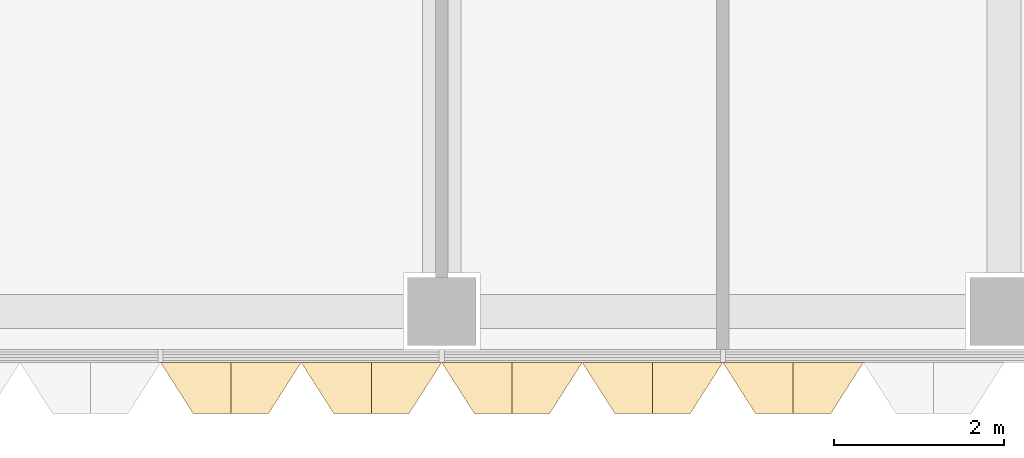
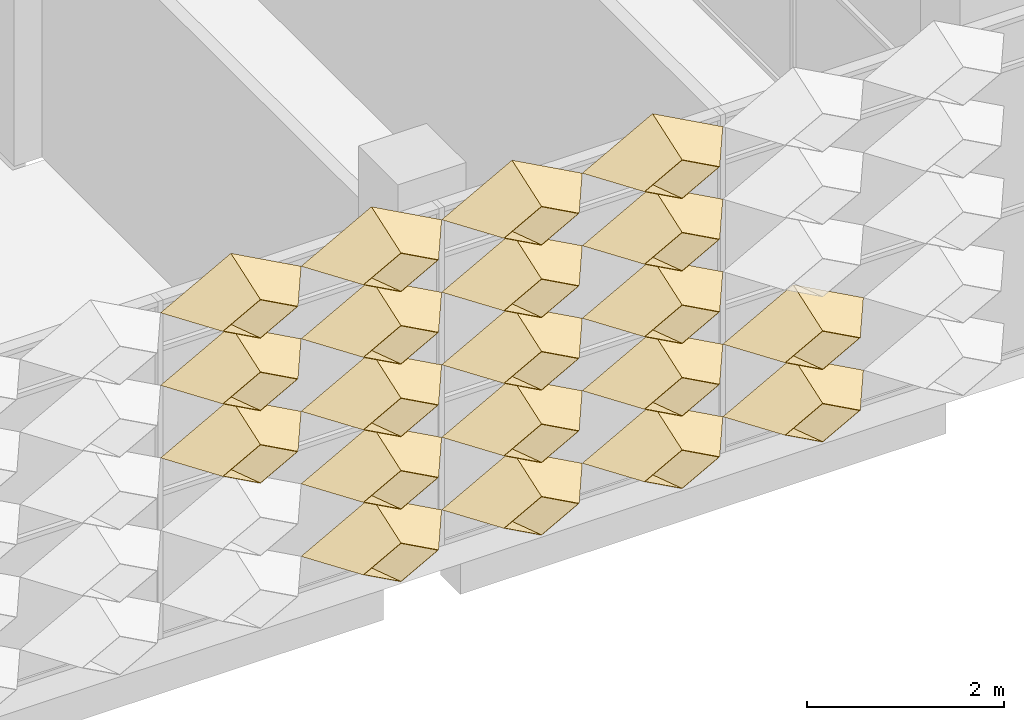
# One storey, part 61 of 85: 20 coverings.
"""IFC4 building model written with IfcOpenShell, lengths in metres."""

from ifc_helpers import new_model, entity, si_unit, direction, frame, origin, place, context, subcontext, project, spatial, material, layer, layer_set, type_object, element, save


model = new_model("IFC4")

# Units and contexts
model_context = context("Model", 3, precision=1e-05, world=origin(), true_north=direction((0.0, 1.0)))
body_context = subcontext(model_context, "Body", "Model", "MODEL_VIEW")
ifc_project = project(units=[si_unit("LENGTHUNIT", "METRE"), si_unit("AREAUNIT", "SQUARE_METRE"), si_unit("VOLUMEUNIT", "CUBIC_METRE"), si_unit("PLANEANGLEUNIT", "RADIAN"), si_unit("MASSUNIT", "GRAM", prefix="KILO")], contexts=[model_context])

# Site, building, storey
site_placement = place(None, origin())
site = spatial("IfcSite", under=ifc_project, at=site_placement, CompositionType="ELEMENT")
building_placement = place(site_placement, origin())
building = spatial("IfcBuilding", under=site, at=building_placement, Name="Lantern Court Research Institute", CompositionType="ELEMENT")
storey_placement = place(building_placement, frame((0.0, 0.0, 18.89990234375)))
storey = spatial("IfcBuildingStorey", under=building, at=storey_placement, Name="L04", CompositionType="ELEMENT", Elevation=18.89990234375)

# Coverings
ifc_material = material(Name="Anodised aluminium", Category="aluminium")
ifc_layer = layer(ifc_material, 0.01611328125)
ifc_layer_set = layer_set([ifc_layer], Name="Anodised aluminium")
covering_type = type_object("IfcCoveringType", Name="Fin cassette 1650 x 900 x 600 aluminium", PredefinedType="CLADDING", material=ifc_layer_set)
covering_1_placement = place(storey_placement, frame((71.77490234375, -8.39990234375, 0.4501953125), z_axis=(0.0, -1.0, 0.0), x_axis=(1.0, 0.0, 0.0)))
cartesian_point_1 = entity("IfcCartesianPoint", [0.824951171875, 0.0])
cartesian_point_2 = entity("IfcCartesianPoint", [0.79150390625, 0.0])
cartesian_point_3 = entity("IfcCartesianPoint", [0.44189453125, 0.0])
cartesian_point_4 = entity("IfcCartesianPoint", [0.43359375, 0.0])
element("IfcCovering", 1, at=covering_1_placement, inside=storey, type_object=covering_type, Name="Fin cassette V5S-L04 1.44", PredefinedType="CLADDING", context=body_context, shape_type="SweptSolid", body=[
    entity("IfcExtrudedAreaSolidTapered", entity("IfcArbitraryProfileDefWithVoids", "AREA", None, entity("IfcPolyline", [cartesian_point_1, entity("IfcCartesianPoint", [0.0, 0.449951171875]), entity("IfcCartesianPoint", [-0.824951171875, 0.0]), entity("IfcCartesianPoint", [0.0, -0.449951171875]), cartesian_point_1]), [entity("IfcPolyline", [cartesian_point_2, entity("IfcCartesianPoint", [0.0, 0.431884765625]), entity("IfcCartesianPoint", [-0.79150390625, 0.0]), entity("IfcCartesianPoint", [0.0, -0.431884765625]), cartesian_point_2])]), entity("IfcAxis2Placement3D", entity("IfcCartesianPoint", [0.0, 0.0, 0.0])), entity("IfcDirection", [0.0, 0.0, 1.0]), 0.60009765625, entity("IfcArbitraryProfileDefWithVoids", "AREA", None, entity("IfcPolyline", [cartesian_point_3, entity("IfcCartesianPoint", [0.0, 0.240966796875]), entity("IfcCartesianPoint", [-0.44189453125, 0.0]), entity("IfcCartesianPoint", [0.0, -0.240966796875]), cartesian_point_3]), [entity("IfcPolyline", [cartesian_point_4, entity("IfcCartesianPoint", [0.0, 0.236572265625]), entity("IfcCartesianPoint", [-0.43359375, 0.0]), entity("IfcCartesianPoint", [0.0, -0.236572265625]), cartesian_point_4])])),
])
covering_2_placement = place(storey_placement, frame((73.425048828125, -8.39990234375, 0.4501953125), z_axis=(0.0, -1.0, 0.0), x_axis=(1.0, 0.0, 0.0)))
cartesian_point_5 = entity("IfcCartesianPoint", [0.824951171875, 0.0])
cartesian_point_6 = entity("IfcCartesianPoint", [0.79150390625, 0.0])
cartesian_point_7 = entity("IfcCartesianPoint", [0.44189453125, 0.0])
cartesian_point_8 = entity("IfcCartesianPoint", [0.43359375, 0.0])
element("IfcCovering", 2, at=covering_2_placement, inside=storey, type_object=covering_type, Name="Fin cassette V5S-L04 1.45", PredefinedType="CLADDING", context=body_context, shape_type="SweptSolid", body=[
    entity("IfcExtrudedAreaSolidTapered", entity("IfcArbitraryProfileDefWithVoids", "AREA", None, entity("IfcPolyline", [cartesian_point_5, entity("IfcCartesianPoint", [0.0, 0.449951171875]), entity("IfcCartesianPoint", [-0.824951171875, 0.0]), entity("IfcCartesianPoint", [0.0, -0.449951171875]), cartesian_point_5]), [entity("IfcPolyline", [cartesian_point_6, entity("IfcCartesianPoint", [0.0, 0.431884765625]), entity("IfcCartesianPoint", [-0.79150390625, 0.0]), entity("IfcCartesianPoint", [0.0, -0.431884765625]), cartesian_point_6])]), entity("IfcAxis2Placement3D", entity("IfcCartesianPoint", [0.0, 0.0, 0.0])), entity("IfcDirection", [0.0, 0.0, 1.0]), 0.60009765625, entity("IfcArbitraryProfileDefWithVoids", "AREA", None, entity("IfcPolyline", [cartesian_point_7, entity("IfcCartesianPoint", [0.0, 0.240966796875]), entity("IfcCartesianPoint", [-0.44189453125, 0.0]), entity("IfcCartesianPoint", [0.0, -0.240966796875]), cartesian_point_7]), [entity("IfcPolyline", [cartesian_point_8, entity("IfcCartesianPoint", [0.0, 0.236572265625]), entity("IfcCartesianPoint", [-0.43359375, 0.0]), entity("IfcCartesianPoint", [0.0, -0.236572265625]), cartesian_point_8])])),
])
covering_3_placement = place(storey_placement, frame((75.074951171875, -8.39990234375, 0.4501953125), z_axis=(0.0, -1.0, 0.0), x_axis=(1.0, 0.0, 0.0)))
cartesian_point_9 = entity("IfcCartesianPoint", [0.824951171875, 0.0])
cartesian_point_10 = entity("IfcCartesianPoint", [0.79150390625, 0.0])
cartesian_point_11 = entity("IfcCartesianPoint", [0.44189453125, 0.0])
cartesian_point_12 = entity("IfcCartesianPoint", [0.43359375, 0.0])
element("IfcCovering", 3, at=covering_3_placement, inside=storey, type_object=covering_type, Name="Fin cassette V5S-L04 1.46", PredefinedType="CLADDING", context=body_context, shape_type="SweptSolid", body=[
    entity("IfcExtrudedAreaSolidTapered", entity("IfcArbitraryProfileDefWithVoids", "AREA", None, entity("IfcPolyline", [cartesian_point_9, entity("IfcCartesianPoint", [0.0, 0.449951171875]), entity("IfcCartesianPoint", [-0.824951171875, 0.0]), entity("IfcCartesianPoint", [0.0, -0.449951171875]), cartesian_point_9]), [entity("IfcPolyline", [cartesian_point_10, entity("IfcCartesianPoint", [0.0, 0.431884765625]), entity("IfcCartesianPoint", [-0.79150390625, 0.0]), entity("IfcCartesianPoint", [0.0, -0.431884765625]), cartesian_point_10])]), entity("IfcAxis2Placement3D", entity("IfcCartesianPoint", [0.0, 0.0, 0.0])), entity("IfcDirection", [0.0, 0.0, 1.0]), 0.60009765625, entity("IfcArbitraryProfileDefWithVoids", "AREA", None, entity("IfcPolyline", [cartesian_point_11, entity("IfcCartesianPoint", [0.0, 0.240966796875]), entity("IfcCartesianPoint", [-0.44189453125, 0.0]), entity("IfcCartesianPoint", [0.0, -0.240966796875]), cartesian_point_11]), [entity("IfcPolyline", [cartesian_point_12, entity("IfcCartesianPoint", [0.0, 0.236572265625]), entity("IfcCartesianPoint", [-0.43359375, 0.0]), entity("IfcCartesianPoint", [0.0, -0.236572265625]), cartesian_point_12])])),
])
covering_4_placement = place(storey_placement, frame((76.72509765625, -8.39990234375, 0.4501953125), z_axis=(0.0, -1.0, 0.0), x_axis=(1.0, 0.0, 0.0)))
cartesian_point_13 = entity("IfcCartesianPoint", [0.824951171875, 0.0])
cartesian_point_14 = entity("IfcCartesianPoint", [0.79150390625, 0.0])
cartesian_point_15 = entity("IfcCartesianPoint", [0.44189453125, 0.0])
cartesian_point_16 = entity("IfcCartesianPoint", [0.43359375, 0.0])
element("IfcCovering", 4, at=covering_4_placement, inside=storey, type_object=covering_type, Name="Fin cassette V5S-L04 1.47", PredefinedType="CLADDING", context=body_context, shape_type="SweptSolid", body=[
    entity("IfcExtrudedAreaSolidTapered", entity("IfcArbitraryProfileDefWithVoids", "AREA", None, entity("IfcPolyline", [cartesian_point_13, entity("IfcCartesianPoint", [0.0, 0.449951171875]), entity("IfcCartesianPoint", [-0.824951171875, 0.0]), entity("IfcCartesianPoint", [0.0, -0.449951171875]), cartesian_point_13]), [entity("IfcPolyline", [cartesian_point_14, entity("IfcCartesianPoint", [0.0, 0.431884765625]), entity("IfcCartesianPoint", [-0.79150390625, 0.0]), entity("IfcCartesianPoint", [0.0, -0.431884765625]), cartesian_point_14])]), entity("IfcAxis2Placement3D", entity("IfcCartesianPoint", [0.0, 0.0, 0.0])), entity("IfcDirection", [0.0, 0.0, 1.0]), 0.60009765625, entity("IfcArbitraryProfileDefWithVoids", "AREA", None, entity("IfcPolyline", [cartesian_point_15, entity("IfcCartesianPoint", [0.0, 0.240966796875]), entity("IfcCartesianPoint", [-0.44189453125, 0.0]), entity("IfcCartesianPoint", [0.0, -0.240966796875]), cartesian_point_15]), [entity("IfcPolyline", [cartesian_point_16, entity("IfcCartesianPoint", [0.0, 0.236572265625]), entity("IfcCartesianPoint", [-0.43359375, 0.0]), entity("IfcCartesianPoint", [0.0, -0.236572265625]), cartesian_point_16])])),
])
covering_5_placement = place(storey_placement, frame((71.77490234375, -8.39990234375, 1.35009765625), z_axis=(0.0, -1.0, 0.0), x_axis=(1.0, 0.0, 0.0)))
cartesian_point_17 = entity("IfcCartesianPoint", [0.824951171875, 0.0])
cartesian_point_18 = entity("IfcCartesianPoint", [0.79150390625, 0.0])
cartesian_point_19 = entity("IfcCartesianPoint", [0.44189453125, 0.0])
cartesian_point_20 = entity("IfcCartesianPoint", [0.43359375, 0.0])
element("IfcCovering", 5, at=covering_5_placement, inside=storey, type_object=covering_type, Name="Fin cassette V5S-L04 2.44", PredefinedType="CLADDING", context=body_context, shape_type="SweptSolid", body=[
    entity("IfcExtrudedAreaSolidTapered", entity("IfcArbitraryProfileDefWithVoids", "AREA", None, entity("IfcPolyline", [cartesian_point_17, entity("IfcCartesianPoint", [0.0, 0.449951171875]), entity("IfcCartesianPoint", [-0.824951171875, 0.0]), entity("IfcCartesianPoint", [0.0, -0.449951171875]), cartesian_point_17]), [entity("IfcPolyline", [cartesian_point_18, entity("IfcCartesianPoint", [0.0, 0.431884765625]), entity("IfcCartesianPoint", [-0.79150390625, 0.0]), entity("IfcCartesianPoint", [0.0, -0.431884765625]), cartesian_point_18])]), entity("IfcAxis2Placement3D", entity("IfcCartesianPoint", [0.0, 0.0, 0.0])), entity("IfcDirection", [0.0, 0.0, 1.0]), 0.60009765625, entity("IfcArbitraryProfileDefWithVoids", "AREA", None, entity("IfcPolyline", [cartesian_point_19, entity("IfcCartesianPoint", [0.0, 0.240966796875]), entity("IfcCartesianPoint", [-0.44189453125, 0.0]), entity("IfcCartesianPoint", [0.0, -0.240966796875]), cartesian_point_19]), [entity("IfcPolyline", [cartesian_point_20, entity("IfcCartesianPoint", [0.0, 0.236572265625]), entity("IfcCartesianPoint", [-0.43359375, 0.0]), entity("IfcCartesianPoint", [0.0, -0.236572265625]), cartesian_point_20])])),
])
covering_6_placement = place(storey_placement, frame((73.425048828125, -8.39990234375, 1.35009765625), z_axis=(0.0, -1.0, 0.0), x_axis=(1.0, 0.0, 0.0)))
cartesian_point_21 = entity("IfcCartesianPoint", [0.824951171875, 0.0])
cartesian_point_22 = entity("IfcCartesianPoint", [0.79150390625, 0.0])
cartesian_point_23 = entity("IfcCartesianPoint", [0.44189453125, 0.0])
cartesian_point_24 = entity("IfcCartesianPoint", [0.43359375, 0.0])
element("IfcCovering", 6, at=covering_6_placement, inside=storey, type_object=covering_type, Name="Fin cassette V5S-L04 2.45", PredefinedType="CLADDING", context=body_context, shape_type="SweptSolid", body=[
    entity("IfcExtrudedAreaSolidTapered", entity("IfcArbitraryProfileDefWithVoids", "AREA", None, entity("IfcPolyline", [cartesian_point_21, entity("IfcCartesianPoint", [0.0, 0.449951171875]), entity("IfcCartesianPoint", [-0.824951171875, 0.0]), entity("IfcCartesianPoint", [0.0, -0.449951171875]), cartesian_point_21]), [entity("IfcPolyline", [cartesian_point_22, entity("IfcCartesianPoint", [0.0, 0.431884765625]), entity("IfcCartesianPoint", [-0.79150390625, 0.0]), entity("IfcCartesianPoint", [0.0, -0.431884765625]), cartesian_point_22])]), entity("IfcAxis2Placement3D", entity("IfcCartesianPoint", [0.0, 0.0, 0.0])), entity("IfcDirection", [0.0, 0.0, 1.0]), 0.60009765625, entity("IfcArbitraryProfileDefWithVoids", "AREA", None, entity("IfcPolyline", [cartesian_point_23, entity("IfcCartesianPoint", [0.0, 0.240966796875]), entity("IfcCartesianPoint", [-0.44189453125, 0.0]), entity("IfcCartesianPoint", [0.0, -0.240966796875]), cartesian_point_23]), [entity("IfcPolyline", [cartesian_point_24, entity("IfcCartesianPoint", [0.0, 0.236572265625]), entity("IfcCartesianPoint", [-0.43359375, 0.0]), entity("IfcCartesianPoint", [0.0, -0.236572265625]), cartesian_point_24])])),
])
covering_7_placement = place(storey_placement, frame((75.074951171875, -8.39990234375, 1.35009765625), z_axis=(0.0, -1.0, 0.0), x_axis=(1.0, 0.0, 0.0)))
cartesian_point_25 = entity("IfcCartesianPoint", [0.824951171875, 0.0])
cartesian_point_26 = entity("IfcCartesianPoint", [0.79150390625, 0.0])
cartesian_point_27 = entity("IfcCartesianPoint", [0.44189453125, 0.0])
cartesian_point_28 = entity("IfcCartesianPoint", [0.43359375, 0.0])
element("IfcCovering", 7, at=covering_7_placement, inside=storey, type_object=covering_type, Name="Fin cassette V5S-L04 2.46", PredefinedType="CLADDING", context=body_context, shape_type="SweptSolid", body=[
    entity("IfcExtrudedAreaSolidTapered", entity("IfcArbitraryProfileDefWithVoids", "AREA", None, entity("IfcPolyline", [cartesian_point_25, entity("IfcCartesianPoint", [0.0, 0.449951171875]), entity("IfcCartesianPoint", [-0.824951171875, 0.0]), entity("IfcCartesianPoint", [0.0, -0.449951171875]), cartesian_point_25]), [entity("IfcPolyline", [cartesian_point_26, entity("IfcCartesianPoint", [0.0, 0.431884765625]), entity("IfcCartesianPoint", [-0.79150390625, 0.0]), entity("IfcCartesianPoint", [0.0, -0.431884765625]), cartesian_point_26])]), entity("IfcAxis2Placement3D", entity("IfcCartesianPoint", [0.0, 0.0, 0.0])), entity("IfcDirection", [0.0, 0.0, 1.0]), 0.60009765625, entity("IfcArbitraryProfileDefWithVoids", "AREA", None, entity("IfcPolyline", [cartesian_point_27, entity("IfcCartesianPoint", [0.0, 0.240966796875]), entity("IfcCartesianPoint", [-0.44189453125, 0.0]), entity("IfcCartesianPoint", [0.0, -0.240966796875]), cartesian_point_27]), [entity("IfcPolyline", [cartesian_point_28, entity("IfcCartesianPoint", [0.0, 0.236572265625]), entity("IfcCartesianPoint", [-0.43359375, 0.0]), entity("IfcCartesianPoint", [0.0, -0.236572265625]), cartesian_point_28])])),
])
covering_8_placement = place(storey_placement, frame((76.72509765625, -8.39990234375, 1.35009765625), z_axis=(0.0, -1.0, 0.0), x_axis=(1.0, 0.0, 0.0)))
cartesian_point_29 = entity("IfcCartesianPoint", [0.824951171875, 0.0])
cartesian_point_30 = entity("IfcCartesianPoint", [0.79150390625, 0.0])
cartesian_point_31 = entity("IfcCartesianPoint", [0.44189453125, 0.0])
cartesian_point_32 = entity("IfcCartesianPoint", [0.43359375, 0.0])
element("IfcCovering", 8, at=covering_8_placement, inside=storey, type_object=covering_type, Name="Fin cassette V5S-L04 2.47", PredefinedType="CLADDING", context=body_context, shape_type="SweptSolid", body=[
    entity("IfcExtrudedAreaSolidTapered", entity("IfcArbitraryProfileDefWithVoids", "AREA", None, entity("IfcPolyline", [cartesian_point_29, entity("IfcCartesianPoint", [0.0, 0.449951171875]), entity("IfcCartesianPoint", [-0.824951171875, 0.0]), entity("IfcCartesianPoint", [0.0, -0.449951171875]), cartesian_point_29]), [entity("IfcPolyline", [cartesian_point_30, entity("IfcCartesianPoint", [0.0, 0.431884765625]), entity("IfcCartesianPoint", [-0.79150390625, 0.0]), entity("IfcCartesianPoint", [0.0, -0.431884765625]), cartesian_point_30])]), entity("IfcAxis2Placement3D", entity("IfcCartesianPoint", [0.0, 0.0, 0.0])), entity("IfcDirection", [0.0, 0.0, 1.0]), 0.60009765625, entity("IfcArbitraryProfileDefWithVoids", "AREA", None, entity("IfcPolyline", [cartesian_point_31, entity("IfcCartesianPoint", [0.0, 0.240966796875]), entity("IfcCartesianPoint", [-0.44189453125, 0.0]), entity("IfcCartesianPoint", [0.0, -0.240966796875]), cartesian_point_31]), [entity("IfcPolyline", [cartesian_point_32, entity("IfcCartesianPoint", [0.0, 0.236572265625]), entity("IfcCartesianPoint", [-0.43359375, 0.0]), entity("IfcCartesianPoint", [0.0, -0.236572265625]), cartesian_point_32])])),
])
covering_9_placement = place(storey_placement, frame((70.125, -8.39990234375, 2.25), z_axis=(0.0, -1.0, 0.0), x_axis=(1.0, 0.0, 0.0)))
cartesian_point_33 = entity("IfcCartesianPoint", [0.824951171875, 0.0])
cartesian_point_34 = entity("IfcCartesianPoint", [0.79150390625, 0.0])
cartesian_point_35 = entity("IfcCartesianPoint", [0.44189453125, 0.0])
cartesian_point_36 = entity("IfcCartesianPoint", [0.43359375, 0.0])
element("IfcCovering", 9, at=covering_9_placement, inside=storey, type_object=covering_type, Name="Fin cassette V5S-L04 3.43", PredefinedType="CLADDING", context=body_context, shape_type="SweptSolid", body=[
    entity("IfcExtrudedAreaSolidTapered", entity("IfcArbitraryProfileDefWithVoids", "AREA", None, entity("IfcPolyline", [cartesian_point_33, entity("IfcCartesianPoint", [0.0, 0.449951171875]), entity("IfcCartesianPoint", [-0.824951171875, 0.0]), entity("IfcCartesianPoint", [0.0, -0.449951171875]), cartesian_point_33]), [entity("IfcPolyline", [cartesian_point_34, entity("IfcCartesianPoint", [0.0, 0.431884765625]), entity("IfcCartesianPoint", [-0.79150390625, 0.0]), entity("IfcCartesianPoint", [0.0, -0.431884765625]), cartesian_point_34])]), entity("IfcAxis2Placement3D", entity("IfcCartesianPoint", [0.0, 0.0, 0.0])), entity("IfcDirection", [0.0, 0.0, 1.0]), 0.60009765625, entity("IfcArbitraryProfileDefWithVoids", "AREA", None, entity("IfcPolyline", [cartesian_point_35, entity("IfcCartesianPoint", [0.0, 0.240966796875]), entity("IfcCartesianPoint", [-0.44189453125, 0.0]), entity("IfcCartesianPoint", [0.0, -0.240966796875]), cartesian_point_35]), [entity("IfcPolyline", [cartesian_point_36, entity("IfcCartesianPoint", [0.0, 0.236572265625]), entity("IfcCartesianPoint", [-0.43359375, 0.0]), entity("IfcCartesianPoint", [0.0, -0.236572265625]), cartesian_point_36])])),
])
covering_10_placement = place(storey_placement, frame((71.77490234375, -8.39990234375, 2.25), z_axis=(0.0, -1.0, 0.0), x_axis=(1.0, 0.0, 0.0)))
cartesian_point_37 = entity("IfcCartesianPoint", [0.824951171875, 0.0])
cartesian_point_38 = entity("IfcCartesianPoint", [0.79150390625, 0.0])
cartesian_point_39 = entity("IfcCartesianPoint", [0.44189453125, 0.0])
cartesian_point_40 = entity("IfcCartesianPoint", [0.43359375, 0.0])
element("IfcCovering", 10, at=covering_10_placement, inside=storey, type_object=covering_type, Name="Fin cassette V5S-L04 3.44", PredefinedType="CLADDING", context=body_context, shape_type="SweptSolid", body=[
    entity("IfcExtrudedAreaSolidTapered", entity("IfcArbitraryProfileDefWithVoids", "AREA", None, entity("IfcPolyline", [cartesian_point_37, entity("IfcCartesianPoint", [0.0, 0.449951171875]), entity("IfcCartesianPoint", [-0.824951171875, 0.0]), entity("IfcCartesianPoint", [0.0, -0.449951171875]), cartesian_point_37]), [entity("IfcPolyline", [cartesian_point_38, entity("IfcCartesianPoint", [0.0, 0.431884765625]), entity("IfcCartesianPoint", [-0.79150390625, 0.0]), entity("IfcCartesianPoint", [0.0, -0.431884765625]), cartesian_point_38])]), entity("IfcAxis2Placement3D", entity("IfcCartesianPoint", [0.0, 0.0, 0.0])), entity("IfcDirection", [0.0, 0.0, 1.0]), 0.60009765625, entity("IfcArbitraryProfileDefWithVoids", "AREA", None, entity("IfcPolyline", [cartesian_point_39, entity("IfcCartesianPoint", [0.0, 0.240966796875]), entity("IfcCartesianPoint", [-0.44189453125, 0.0]), entity("IfcCartesianPoint", [0.0, -0.240966796875]), cartesian_point_39]), [entity("IfcPolyline", [cartesian_point_40, entity("IfcCartesianPoint", [0.0, 0.236572265625]), entity("IfcCartesianPoint", [-0.43359375, 0.0]), entity("IfcCartesianPoint", [0.0, -0.236572265625]), cartesian_point_40])])),
])
covering_11_placement = place(storey_placement, frame((73.425048828125, -8.39990234375, 2.25), z_axis=(0.0, -1.0, 0.0), x_axis=(1.0, 0.0, 0.0)))
cartesian_point_41 = entity("IfcCartesianPoint", [0.824951171875, 0.0])
cartesian_point_42 = entity("IfcCartesianPoint", [0.79150390625, 0.0])
cartesian_point_43 = entity("IfcCartesianPoint", [0.44189453125, 0.0])
cartesian_point_44 = entity("IfcCartesianPoint", [0.43359375, 0.0])
element("IfcCovering", 11, at=covering_11_placement, inside=storey, type_object=covering_type, Name="Fin cassette V5S-L04 3.45", PredefinedType="CLADDING", context=body_context, shape_type="SweptSolid", body=[
    entity("IfcExtrudedAreaSolidTapered", entity("IfcArbitraryProfileDefWithVoids", "AREA", None, entity("IfcPolyline", [cartesian_point_41, entity("IfcCartesianPoint", [0.0, 0.449951171875]), entity("IfcCartesianPoint", [-0.824951171875, 0.0]), entity("IfcCartesianPoint", [0.0, -0.449951171875]), cartesian_point_41]), [entity("IfcPolyline", [cartesian_point_42, entity("IfcCartesianPoint", [0.0, 0.431884765625]), entity("IfcCartesianPoint", [-0.79150390625, 0.0]), entity("IfcCartesianPoint", [0.0, -0.431884765625]), cartesian_point_42])]), entity("IfcAxis2Placement3D", entity("IfcCartesianPoint", [0.0, 0.0, 0.0])), entity("IfcDirection", [0.0, 0.0, 1.0]), 0.60009765625, entity("IfcArbitraryProfileDefWithVoids", "AREA", None, entity("IfcPolyline", [cartesian_point_43, entity("IfcCartesianPoint", [0.0, 0.240966796875]), entity("IfcCartesianPoint", [-0.44189453125, 0.0]), entity("IfcCartesianPoint", [0.0, -0.240966796875]), cartesian_point_43]), [entity("IfcPolyline", [cartesian_point_44, entity("IfcCartesianPoint", [0.0, 0.236572265625]), entity("IfcCartesianPoint", [-0.43359375, 0.0]), entity("IfcCartesianPoint", [0.0, -0.236572265625]), cartesian_point_44])])),
])
covering_12_placement = place(storey_placement, frame((75.074951171875, -8.39990234375, 2.25), z_axis=(0.0, -1.0, 0.0), x_axis=(1.0, 0.0, 0.0)))
cartesian_point_45 = entity("IfcCartesianPoint", [0.824951171875, 0.0])
cartesian_point_46 = entity("IfcCartesianPoint", [0.79150390625, 0.0])
cartesian_point_47 = entity("IfcCartesianPoint", [0.44189453125, 0.0])
cartesian_point_48 = entity("IfcCartesianPoint", [0.43359375, 0.0])
element("IfcCovering", 12, at=covering_12_placement, inside=storey, type_object=covering_type, Name="Fin cassette V5S-L04 3.46", PredefinedType="CLADDING", context=body_context, shape_type="SweptSolid", body=[
    entity("IfcExtrudedAreaSolidTapered", entity("IfcArbitraryProfileDefWithVoids", "AREA", None, entity("IfcPolyline", [cartesian_point_45, entity("IfcCartesianPoint", [0.0, 0.449951171875]), entity("IfcCartesianPoint", [-0.824951171875, 0.0]), entity("IfcCartesianPoint", [0.0, -0.449951171875]), cartesian_point_45]), [entity("IfcPolyline", [cartesian_point_46, entity("IfcCartesianPoint", [0.0, 0.431884765625]), entity("IfcCartesianPoint", [-0.79150390625, 0.0]), entity("IfcCartesianPoint", [0.0, -0.431884765625]), cartesian_point_46])]), entity("IfcAxis2Placement3D", entity("IfcCartesianPoint", [0.0, 0.0, 0.0])), entity("IfcDirection", [0.0, 0.0, 1.0]), 0.60009765625, entity("IfcArbitraryProfileDefWithVoids", "AREA", None, entity("IfcPolyline", [cartesian_point_47, entity("IfcCartesianPoint", [0.0, 0.240966796875]), entity("IfcCartesianPoint", [-0.44189453125, 0.0]), entity("IfcCartesianPoint", [0.0, -0.240966796875]), cartesian_point_47]), [entity("IfcPolyline", [cartesian_point_48, entity("IfcCartesianPoint", [0.0, 0.236572265625]), entity("IfcCartesianPoint", [-0.43359375, 0.0]), entity("IfcCartesianPoint", [0.0, -0.236572265625]), cartesian_point_48])])),
])
covering_13_placement = place(storey_placement, frame((70.125, -8.39990234375, 3.150146484375), z_axis=(0.0, -1.0, 0.0), x_axis=(1.0, 0.0, 0.0)))
cartesian_point_49 = entity("IfcCartesianPoint", [0.824951171875, 0.0])
cartesian_point_50 = entity("IfcCartesianPoint", [0.79150390625, 0.0])
cartesian_point_51 = entity("IfcCartesianPoint", [0.44189453125, 0.0])
cartesian_point_52 = entity("IfcCartesianPoint", [0.43359375, 0.0])
element("IfcCovering", 13, at=covering_13_placement, inside=storey, type_object=covering_type, Name="Fin cassette V5S-L04 4.43", PredefinedType="CLADDING", context=body_context, shape_type="SweptSolid", body=[
    entity("IfcExtrudedAreaSolidTapered", entity("IfcArbitraryProfileDefWithVoids", "AREA", None, entity("IfcPolyline", [cartesian_point_49, entity("IfcCartesianPoint", [0.0, 0.449951171875]), entity("IfcCartesianPoint", [-0.824951171875, 0.0]), entity("IfcCartesianPoint", [0.0, -0.449951171875]), cartesian_point_49]), [entity("IfcPolyline", [cartesian_point_50, entity("IfcCartesianPoint", [0.0, 0.431884765625]), entity("IfcCartesianPoint", [-0.79150390625, 0.0]), entity("IfcCartesianPoint", [0.0, -0.431884765625]), cartesian_point_50])]), entity("IfcAxis2Placement3D", entity("IfcCartesianPoint", [0.0, 0.0, 0.0])), entity("IfcDirection", [0.0, 0.0, 1.0]), 0.60009765625, entity("IfcArbitraryProfileDefWithVoids", "AREA", None, entity("IfcPolyline", [cartesian_point_51, entity("IfcCartesianPoint", [0.0, 0.240966796875]), entity("IfcCartesianPoint", [-0.44189453125, 0.0]), entity("IfcCartesianPoint", [0.0, -0.240966796875]), cartesian_point_51]), [entity("IfcPolyline", [cartesian_point_52, entity("IfcCartesianPoint", [0.0, 0.236572265625]), entity("IfcCartesianPoint", [-0.43359375, 0.0]), entity("IfcCartesianPoint", [0.0, -0.236572265625]), cartesian_point_52])])),
])
covering_14_placement = place(storey_placement, frame((71.77490234375, -8.39990234375, 3.150146484375), z_axis=(0.0, -1.0, 0.0), x_axis=(1.0, 0.0, 0.0)))
cartesian_point_53 = entity("IfcCartesianPoint", [0.824951171875, 0.0])
cartesian_point_54 = entity("IfcCartesianPoint", [0.79150390625, 0.0])
cartesian_point_55 = entity("IfcCartesianPoint", [0.44189453125, 0.0])
cartesian_point_56 = entity("IfcCartesianPoint", [0.43359375, 0.0])
element("IfcCovering", 14, at=covering_14_placement, inside=storey, type_object=covering_type, Name="Fin cassette V5S-L04 4.44", PredefinedType="CLADDING", context=body_context, shape_type="SweptSolid", body=[
    entity("IfcExtrudedAreaSolidTapered", entity("IfcArbitraryProfileDefWithVoids", "AREA", None, entity("IfcPolyline", [cartesian_point_53, entity("IfcCartesianPoint", [0.0, 0.449951171875]), entity("IfcCartesianPoint", [-0.824951171875, 0.0]), entity("IfcCartesianPoint", [0.0, -0.449951171875]), cartesian_point_53]), [entity("IfcPolyline", [cartesian_point_54, entity("IfcCartesianPoint", [0.0, 0.431884765625]), entity("IfcCartesianPoint", [-0.79150390625, 0.0]), entity("IfcCartesianPoint", [0.0, -0.431884765625]), cartesian_point_54])]), entity("IfcAxis2Placement3D", entity("IfcCartesianPoint", [0.0, 0.0, 0.0])), entity("IfcDirection", [0.0, 0.0, 1.0]), 0.60009765625, entity("IfcArbitraryProfileDefWithVoids", "AREA", None, entity("IfcPolyline", [cartesian_point_55, entity("IfcCartesianPoint", [0.0, 0.240966796875]), entity("IfcCartesianPoint", [-0.44189453125, 0.0]), entity("IfcCartesianPoint", [0.0, -0.240966796875]), cartesian_point_55]), [entity("IfcPolyline", [cartesian_point_56, entity("IfcCartesianPoint", [0.0, 0.236572265625]), entity("IfcCartesianPoint", [-0.43359375, 0.0]), entity("IfcCartesianPoint", [0.0, -0.236572265625]), cartesian_point_56])])),
])
covering_15_placement = place(storey_placement, frame((73.425048828125, -8.39990234375, 3.150146484375), z_axis=(0.0, -1.0, 0.0), x_axis=(1.0, 0.0, 0.0)))
cartesian_point_57 = entity("IfcCartesianPoint", [0.824951171875, 0.0])
cartesian_point_58 = entity("IfcCartesianPoint", [0.79150390625, 0.0])
cartesian_point_59 = entity("IfcCartesianPoint", [0.44189453125, 0.0])
cartesian_point_60 = entity("IfcCartesianPoint", [0.43359375, 0.0])
element("IfcCovering", 15, at=covering_15_placement, inside=storey, type_object=covering_type, Name="Fin cassette V5S-L04 4.45", PredefinedType="CLADDING", context=body_context, shape_type="SweptSolid", body=[
    entity("IfcExtrudedAreaSolidTapered", entity("IfcArbitraryProfileDefWithVoids", "AREA", None, entity("IfcPolyline", [cartesian_point_57, entity("IfcCartesianPoint", [0.0, 0.449951171875]), entity("IfcCartesianPoint", [-0.824951171875, 0.0]), entity("IfcCartesianPoint", [0.0, -0.449951171875]), cartesian_point_57]), [entity("IfcPolyline", [cartesian_point_58, entity("IfcCartesianPoint", [0.0, 0.431884765625]), entity("IfcCartesianPoint", [-0.79150390625, 0.0]), entity("IfcCartesianPoint", [0.0, -0.431884765625]), cartesian_point_58])]), entity("IfcAxis2Placement3D", entity("IfcCartesianPoint", [0.0, 0.0, 0.0])), entity("IfcDirection", [0.0, 0.0, 1.0]), 0.60009765625, entity("IfcArbitraryProfileDefWithVoids", "AREA", None, entity("IfcPolyline", [cartesian_point_59, entity("IfcCartesianPoint", [0.0, 0.240966796875]), entity("IfcCartesianPoint", [-0.44189453125, 0.0]), entity("IfcCartesianPoint", [0.0, -0.240966796875]), cartesian_point_59]), [entity("IfcPolyline", [cartesian_point_60, entity("IfcCartesianPoint", [0.0, 0.236572265625]), entity("IfcCartesianPoint", [-0.43359375, 0.0]), entity("IfcCartesianPoint", [0.0, -0.236572265625]), cartesian_point_60])])),
])
covering_16_placement = place(storey_placement, frame((75.074951171875, -8.39990234375, 3.150146484375), z_axis=(0.0, -1.0, 0.0), x_axis=(1.0, 0.0, 0.0)))
cartesian_point_61 = entity("IfcCartesianPoint", [0.824951171875, 0.0])
cartesian_point_62 = entity("IfcCartesianPoint", [0.79150390625, 0.0])
cartesian_point_63 = entity("IfcCartesianPoint", [0.44189453125, 0.0])
cartesian_point_64 = entity("IfcCartesianPoint", [0.43359375, 0.0])
element("IfcCovering", 16, at=covering_16_placement, inside=storey, type_object=covering_type, Name="Fin cassette V5S-L04 4.46", PredefinedType="CLADDING", context=body_context, shape_type="SweptSolid", body=[
    entity("IfcExtrudedAreaSolidTapered", entity("IfcArbitraryProfileDefWithVoids", "AREA", None, entity("IfcPolyline", [cartesian_point_61, entity("IfcCartesianPoint", [0.0, 0.449951171875]), entity("IfcCartesianPoint", [-0.824951171875, 0.0]), entity("IfcCartesianPoint", [0.0, -0.449951171875]), cartesian_point_61]), [entity("IfcPolyline", [cartesian_point_62, entity("IfcCartesianPoint", [0.0, 0.431884765625]), entity("IfcCartesianPoint", [-0.79150390625, 0.0]), entity("IfcCartesianPoint", [0.0, -0.431884765625]), cartesian_point_62])]), entity("IfcAxis2Placement3D", entity("IfcCartesianPoint", [0.0, 0.0, 0.0])), entity("IfcDirection", [0.0, 0.0, 1.0]), 0.60009765625, entity("IfcArbitraryProfileDefWithVoids", "AREA", None, entity("IfcPolyline", [cartesian_point_63, entity("IfcCartesianPoint", [0.0, 0.240966796875]), entity("IfcCartesianPoint", [-0.44189453125, 0.0]), entity("IfcCartesianPoint", [0.0, -0.240966796875]), cartesian_point_63]), [entity("IfcPolyline", [cartesian_point_64, entity("IfcCartesianPoint", [0.0, 0.236572265625]), entity("IfcCartesianPoint", [-0.43359375, 0.0]), entity("IfcCartesianPoint", [0.0, -0.236572265625]), cartesian_point_64])])),
])
covering_17_placement = place(storey_placement, frame((70.125, -8.39990234375, 4.050048828125), z_axis=(0.0, -1.0, 0.0), x_axis=(1.0, 0.0, 0.0)))
cartesian_point_65 = entity("IfcCartesianPoint", [0.824951171875, 0.0])
cartesian_point_66 = entity("IfcCartesianPoint", [0.79150390625, 0.0])
cartesian_point_67 = entity("IfcCartesianPoint", [0.44189453125, 0.0])
cartesian_point_68 = entity("IfcCartesianPoint", [0.43359375, 0.0])
element("IfcCovering", 17, at=covering_17_placement, inside=storey, type_object=covering_type, Name="Fin cassette V5S-L04 5.43", PredefinedType="CLADDING", context=body_context, shape_type="SweptSolid", body=[
    entity("IfcExtrudedAreaSolidTapered", entity("IfcArbitraryProfileDefWithVoids", "AREA", None, entity("IfcPolyline", [cartesian_point_65, entity("IfcCartesianPoint", [0.0, 0.449951171875]), entity("IfcCartesianPoint", [-0.824951171875, 0.0]), entity("IfcCartesianPoint", [0.0, -0.449951171875]), cartesian_point_65]), [entity("IfcPolyline", [cartesian_point_66, entity("IfcCartesianPoint", [0.0, 0.431884765625]), entity("IfcCartesianPoint", [-0.79150390625, 0.0]), entity("IfcCartesianPoint", [0.0, -0.431884765625]), cartesian_point_66])]), entity("IfcAxis2Placement3D", entity("IfcCartesianPoint", [0.0, 0.0, 0.0])), entity("IfcDirection", [0.0, 0.0, 1.0]), 0.60009765625, entity("IfcArbitraryProfileDefWithVoids", "AREA", None, entity("IfcPolyline", [cartesian_point_67, entity("IfcCartesianPoint", [0.0, 0.240966796875]), entity("IfcCartesianPoint", [-0.44189453125, 0.0]), entity("IfcCartesianPoint", [0.0, -0.240966796875]), cartesian_point_67]), [entity("IfcPolyline", [cartesian_point_68, entity("IfcCartesianPoint", [0.0, 0.236572265625]), entity("IfcCartesianPoint", [-0.43359375, 0.0]), entity("IfcCartesianPoint", [0.0, -0.236572265625]), cartesian_point_68])])),
])
covering_18_placement = place(storey_placement, frame((71.77490234375, -8.39990234375, 4.050048828125), z_axis=(0.0, -1.0, 0.0), x_axis=(1.0, 0.0, 0.0)))
cartesian_point_69 = entity("IfcCartesianPoint", [0.824951171875, 0.0])
cartesian_point_70 = entity("IfcCartesianPoint", [0.79150390625, 0.0])
cartesian_point_71 = entity("IfcCartesianPoint", [0.44189453125, 0.0])
cartesian_point_72 = entity("IfcCartesianPoint", [0.43359375, 0.0])
element("IfcCovering", 18, at=covering_18_placement, inside=storey, type_object=covering_type, Name="Fin cassette V5S-L04 5.44", PredefinedType="CLADDING", context=body_context, shape_type="SweptSolid", body=[
    entity("IfcExtrudedAreaSolidTapered", entity("IfcArbitraryProfileDefWithVoids", "AREA", None, entity("IfcPolyline", [cartesian_point_69, entity("IfcCartesianPoint", [0.0, 0.449951171875]), entity("IfcCartesianPoint", [-0.824951171875, 0.0]), entity("IfcCartesianPoint", [0.0, -0.449951171875]), cartesian_point_69]), [entity("IfcPolyline", [cartesian_point_70, entity("IfcCartesianPoint", [0.0, 0.431884765625]), entity("IfcCartesianPoint", [-0.79150390625, 0.0]), entity("IfcCartesianPoint", [0.0, -0.431884765625]), cartesian_point_70])]), entity("IfcAxis2Placement3D", entity("IfcCartesianPoint", [0.0, 0.0, 0.0])), entity("IfcDirection", [0.0, 0.0, 1.0]), 0.60009765625, entity("IfcArbitraryProfileDefWithVoids", "AREA", None, entity("IfcPolyline", [cartesian_point_71, entity("IfcCartesianPoint", [0.0, 0.240966796875]), entity("IfcCartesianPoint", [-0.44189453125, 0.0]), entity("IfcCartesianPoint", [0.0, -0.240966796875]), cartesian_point_71]), [entity("IfcPolyline", [cartesian_point_72, entity("IfcCartesianPoint", [0.0, 0.236572265625]), entity("IfcCartesianPoint", [-0.43359375, 0.0]), entity("IfcCartesianPoint", [0.0, -0.236572265625]), cartesian_point_72])])),
])
covering_19_placement = place(storey_placement, frame((73.425048828125, -8.39990234375, 4.050048828125), z_axis=(0.0, -1.0, 0.0), x_axis=(1.0, 0.0, 0.0)))
cartesian_point_73 = entity("IfcCartesianPoint", [0.824951171875, 0.0])
cartesian_point_74 = entity("IfcCartesianPoint", [0.79150390625, 0.0])
cartesian_point_75 = entity("IfcCartesianPoint", [0.44189453125, 0.0])
cartesian_point_76 = entity("IfcCartesianPoint", [0.43359375, 0.0])
element("IfcCovering", 19, at=covering_19_placement, inside=storey, type_object=covering_type, Name="Fin cassette V5S-L04 5.45", PredefinedType="CLADDING", context=body_context, shape_type="SweptSolid", body=[
    entity("IfcExtrudedAreaSolidTapered", entity("IfcArbitraryProfileDefWithVoids", "AREA", None, entity("IfcPolyline", [cartesian_point_73, entity("IfcCartesianPoint", [0.0, 0.449951171875]), entity("IfcCartesianPoint", [-0.824951171875, 0.0]), entity("IfcCartesianPoint", [0.0, -0.449951171875]), cartesian_point_73]), [entity("IfcPolyline", [cartesian_point_74, entity("IfcCartesianPoint", [0.0, 0.431884765625]), entity("IfcCartesianPoint", [-0.79150390625, 0.0]), entity("IfcCartesianPoint", [0.0, -0.431884765625]), cartesian_point_74])]), entity("IfcAxis2Placement3D", entity("IfcCartesianPoint", [0.0, 0.0, 0.0])), entity("IfcDirection", [0.0, 0.0, 1.0]), 0.60009765625, entity("IfcArbitraryProfileDefWithVoids", "AREA", None, entity("IfcPolyline", [cartesian_point_75, entity("IfcCartesianPoint", [0.0, 0.240966796875]), entity("IfcCartesianPoint", [-0.44189453125, 0.0]), entity("IfcCartesianPoint", [0.0, -0.240966796875]), cartesian_point_75]), [entity("IfcPolyline", [cartesian_point_76, entity("IfcCartesianPoint", [0.0, 0.236572265625]), entity("IfcCartesianPoint", [-0.43359375, 0.0]), entity("IfcCartesianPoint", [0.0, -0.236572265625]), cartesian_point_76])])),
])
covering_20_placement = place(storey_placement, frame((75.074951171875, -8.39990234375, 4.050048828125), z_axis=(0.0, -1.0, 0.0), x_axis=(1.0, 0.0, 0.0)))
cartesian_point_77 = entity("IfcCartesianPoint", [0.824951171875, 0.0])
cartesian_point_78 = entity("IfcCartesianPoint", [0.79150390625, 0.0])
cartesian_point_79 = entity("IfcCartesianPoint", [0.44189453125, 0.0])
cartesian_point_80 = entity("IfcCartesianPoint", [0.43359375, 0.0])
element("IfcCovering", 20, at=covering_20_placement, inside=storey, type_object=covering_type, Name="Fin cassette V5S-L04 5.46", PredefinedType="CLADDING", context=body_context, shape_type="SweptSolid", body=[
    entity("IfcExtrudedAreaSolidTapered", entity("IfcArbitraryProfileDefWithVoids", "AREA", None, entity("IfcPolyline", [cartesian_point_77, entity("IfcCartesianPoint", [0.0, 0.449951171875]), entity("IfcCartesianPoint", [-0.824951171875, 0.0]), entity("IfcCartesianPoint", [0.0, -0.449951171875]), cartesian_point_77]), [entity("IfcPolyline", [cartesian_point_78, entity("IfcCartesianPoint", [0.0, 0.431884765625]), entity("IfcCartesianPoint", [-0.79150390625, 0.0]), entity("IfcCartesianPoint", [0.0, -0.431884765625]), cartesian_point_78])]), entity("IfcAxis2Placement3D", entity("IfcCartesianPoint", [0.0, 0.0, 0.0])), entity("IfcDirection", [0.0, 0.0, 1.0]), 0.60009765625, entity("IfcArbitraryProfileDefWithVoids", "AREA", None, entity("IfcPolyline", [cartesian_point_79, entity("IfcCartesianPoint", [0.0, 0.240966796875]), entity("IfcCartesianPoint", [-0.44189453125, 0.0]), entity("IfcCartesianPoint", [0.0, -0.240966796875]), cartesian_point_79]), [entity("IfcPolyline", [cartesian_point_80, entity("IfcCartesianPoint", [0.0, 0.236572265625]), entity("IfcCartesianPoint", [-0.43359375, 0.0]), entity("IfcCartesianPoint", [0.0, -0.236572265625]), cartesian_point_80])])),
])

save(model, "model.ifc")
